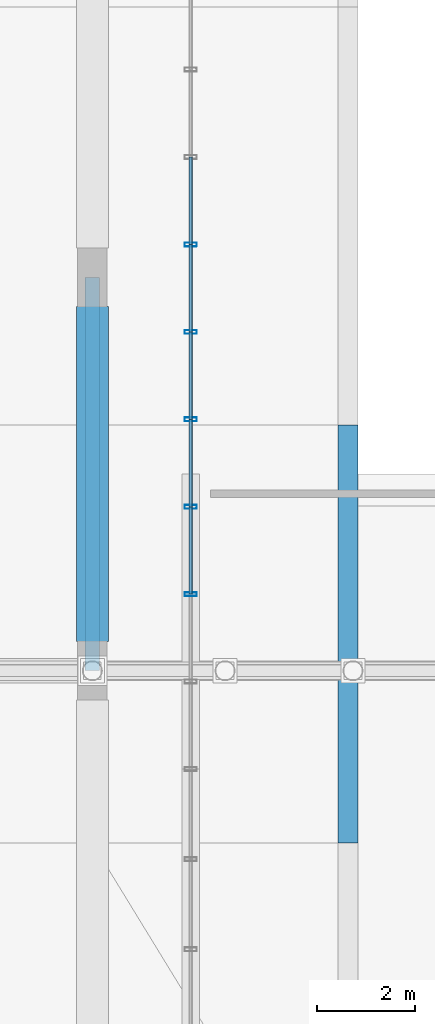
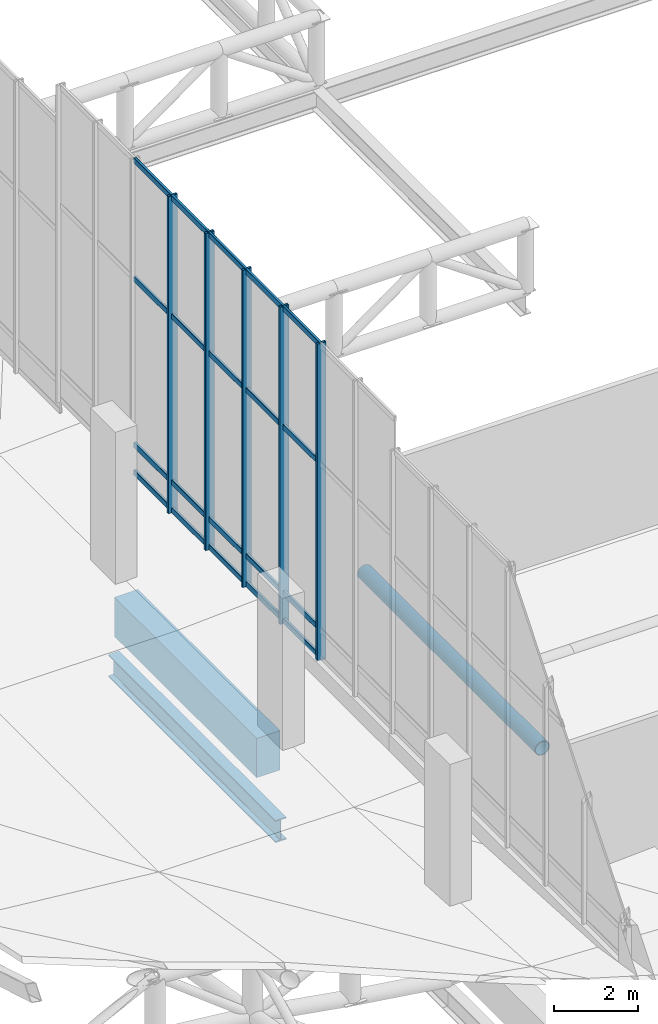
# One storey, part 35 of 137: 26 members, 2 beams, 1 element without a shape of its own.
"""IFC4 building model written with IfcOpenShell, lengths in metres."""

from ifc_helpers import new_model, si_unit, direction, frame, origin, origin_2d, place, context, subcontext, project, spatial, rectangle, hollow_rectangle, hollow_circle, i_section, extrude, material, layer, layer_set, material_profile, profile_set, type_object, element, aggregate, save


model = new_model("IFC4")

# Units and contexts
model_context = context("Model", 3, precision=1e-05, world=origin(), true_north=direction((0.0, 1.0)))
body_context = subcontext(model_context, "Body", "Model", "MODEL_VIEW")
ifc_project = project(units=[si_unit("LENGTHUNIT", "METRE"), si_unit("AREAUNIT", "SQUARE_METRE"), si_unit("VOLUMEUNIT", "CUBIC_METRE"), si_unit("PLANEANGLEUNIT", "RADIAN"), si_unit("MASSUNIT", "GRAM", prefix="KILO")], contexts=[model_context])

# Site, building, storey
site_placement = place(None, origin())
site = spatial("IfcSite", under=ifc_project, at=site_placement, CompositionType="ELEMENT")
building_placement = place(site_placement, origin())
building = spatial("IfcBuilding", under=site, at=building_placement, Name="Khorjan Park Terminus", CompositionType="ELEMENT")
storey_placement = place(building_placement, frame((0.0, 0.0, 11.4)))
storey = spatial("IfcBuildingStorey", under=building, at=storey_placement, Name="L02", CompositionType="ELEMENT", Elevation=11.4)

# Member
ifc_material_1 = material(Name="Steel S355", Category="steel")
ifc_material_profile_1 = material_profile(ifc_material_1, hollow_circle(Radius=0.2032, WallThickness=0.016, at=origin_2d()), Name="CHS 406.4x16")
ifc_profile_set_1 = profile_set([ifc_material_profile_1], Name="Steel S355")
member_type_1 = type_object("IfcMemberType", Name="MB-CH-406", PredefinedType="CHORD", material=ifc_profile_set_1)
member_1_placement = place(storey_placement, frame((53.2, 48.5, 0.266), z_axis=(0.0, 1.0, 0.0), x_axis=(-1.0, 0.0, 0.0)))
element("IfcMember", 1, at=member_1_placement, inside=storey, type_object=member_type_1, Name="Lower wrapping shell rim chord (131)", PredefinedType="CHORD", context=body_context, shape_type="SweptSolid", body=[
    extrude(hollow_circle(Radius=0.2032, WallThickness=0.016, at=origin_2d()), origin(), (0.0, 0.0, 1.0), 8.5),
])

# Curtain wall, members
ifc_material_2 = material(Name="Anodized Bronze Aluminium", Category="aluminium")
ifc_layer = layer(ifc_material_2, 0.22)
ifc_layer_set = layer_set([ifc_layer], Name="Anodized Bronze Aluminium")
curtain_wall_type = type_object("IfcCurtainWallType", Name="CW-CONC-CLR", PredefinedType="NOTDEFINED", material=ifc_layer_set)
curtain_wall_placement = place(storey_placement, origin())
curtain_wall = element("IfcCurtainWall", 2, at=curtain_wall_placement, inside=storey, type_object=curtain_wall_type, Name="Unitized curtain wall CW-CL (CW-V2-W-CLR-03)", PredefinedType="NOTDEFINED")
ifc_material_profile_2 = material_profile(ifc_material_2, hollow_rectangle(XDim=0.08, YDim=0.25, WallThickness=0.005, InnerFilletRadius=0.005, OuterFilletRadius=0.01, at=origin_2d()), Name="ALM 80x250x5")
ifc_profile_set_2 = profile_set([ifc_material_profile_2], Name="Anodized Bronze Aluminium")
member_type_2 = type_object("IfcMemberType", Name="ML-ALM-250", PredefinedType="MULLION", material=ifc_profile_set_2)
member_2_placement = place(storey_placement, frame((50.0, 60.6667, 0.915), z_axis=(0.0, 0.0, 1.0), x_axis=(0.0, -1.0, 0.0)))
member_2 = element("IfcMember", 3, at=member_2_placement, type_object=member_type_2, Name="Curtain-wall mullion ML-25 (CW-V2-W-CLR-03-3)", PredefinedType="MULLION", context=body_context, shape_type="SweptSolid", body=[
    extrude(hollow_rectangle(XDim=0.08, YDim=0.25, WallThickness=0.005, InnerFilletRadius=0.005, OuterFilletRadius=0.01, at=origin_2d()), origin(), (0.0, 0.0, 1.0), 9.2604),
])
member_3_placement = place(storey_placement, frame((50.0, 58.8889, 0.915), z_axis=(0.0, 0.0, 1.0), x_axis=(0.0, -1.0, 0.0)))
member_3 = element("IfcMember", 4, at=member_3_placement, type_object=member_type_2, Name="Curtain-wall mullion ML-25 (CW-V2-W-CLR-03-4)", PredefinedType="MULLION", context=body_context, shape_type="SweptSolid", body=[
    extrude(hollow_rectangle(XDim=0.08, YDim=0.25, WallThickness=0.005, InnerFilletRadius=0.005, OuterFilletRadius=0.01, at=origin_2d()), origin(), (0.0, 0.0, 1.0), 9.2604),
])
member_4_placement = place(storey_placement, frame((50.0, 57.1111, 0.915), z_axis=(0.0, 0.0, 1.0), x_axis=(0.0, -1.0, 0.0)))
member_4 = element("IfcMember", 5, at=member_4_placement, type_object=member_type_2, Name="Curtain-wall mullion ML-25 (CW-V2-W-CLR-03-5)", PredefinedType="MULLION", context=body_context, shape_type="SweptSolid", body=[
    extrude(hollow_rectangle(XDim=0.08, YDim=0.25, WallThickness=0.005, InnerFilletRadius=0.005, OuterFilletRadius=0.01, at=origin_2d()), origin(), (0.0, 0.0, 1.0), 9.2604),
])
member_5_placement = place(storey_placement, frame((50.0, 55.3333, 0.915), z_axis=(0.0, 0.0, 1.0), x_axis=(0.0, -1.0, 0.0)))
member_5 = element("IfcMember", 6, at=member_5_placement, type_object=member_type_2, Name="Curtain-wall mullion ML-25 (CW-V2-W-CLR-03-6)", PredefinedType="MULLION", context=body_context, shape_type="SweptSolid", body=[
    extrude(hollow_rectangle(XDim=0.08, YDim=0.25, WallThickness=0.005, InnerFilletRadius=0.005, OuterFilletRadius=0.01, at=origin_2d()), origin(), (0.0, 0.0, 1.0), 9.2604),
])
member_6_placement = place(storey_placement, frame((50.0, 53.5556, 0.915), z_axis=(0.0, 0.0, 1.0), x_axis=(0.0, -1.0, 0.0)))
member_6 = element("IfcMember", 7, at=member_6_placement, type_object=member_type_2, Name="Curtain-wall mullion ML-25 (CW-V2-W-CLR-03-7)", PredefinedType="MULLION", context=body_context, shape_type="SweptSolid", body=[
    extrude(hollow_rectangle(XDim=0.08, YDim=0.25, WallThickness=0.005, InnerFilletRadius=0.005, OuterFilletRadius=0.01, at=origin_2d()), origin(), (0.0, 0.0, 1.0), 9.2604),
])

# Beams
ifc_material_profile_3 = material_profile(ifc_material_1, i_section(OverallWidth=0.3, OverallDepth=0.65, WebThickness=0.016, FlangeThickness=0.031, FilletRadius=0.027, at=origin_2d()), Name="HEB 650")
ifc_profile_set_3 = profile_set([ifc_material_profile_3], Name="Steel S355")
beam_type_1 = type_object("IfcBeamType", Name="SP-HEB650E", PredefinedType="SPANDREL", material=ifc_profile_set_3)
beam_1_placement = place(storey_placement, frame((48.0, 52.0, -2.425), z_axis=(0.0, 1.0, 0.0), x_axis=(-1.0, 0.0, 0.0)))
element("IfcBeam", 8, at=beam_1_placement, inside=storey, type_object=beam_type_1, Name="Lower shell truss support girder SP-E65 (Y35)", PredefinedType="SPANDREL", context=body_context, shape_type="SweptSolid", body=[
    extrude(i_section(OverallWidth=0.3, OverallDepth=0.65, WebThickness=0.016, FlangeThickness=0.031, FilletRadius=0.027, at=origin_2d()), origin(), (0.0, 0.0, 1.0), 8.0),
])
ifc_material_3 = material(Name="Concrete C50/60", Category="concrete")
ifc_material_profile_4 = material_profile(ifc_material_3, rectangle(XDim=0.65, YDim=1.15, at=origin_2d()), Name="RC 650x1150")
ifc_profile_set_4 = profile_set([ifc_material_profile_4], Name="Concrete C50/60")
beam_type_2 = type_object("IfcBeamType", Name="SP-RC650x1150", PredefinedType="SPANDREL", material=ifc_profile_set_4)
beam_2_placement = place(storey_placement, frame((48.0, 52.595, -0.575), z_axis=(0.0, 1.0, 0.0), x_axis=(-1.0, 0.0, 0.0)))
element("IfcBeam", 9, at=beam_2_placement, inside=storey, type_object=beam_type_2, Name="Concourse lower colonnade ring beam SP-11 (L02-65)", PredefinedType="SPANDREL", context=body_context, shape_type="SweptSolid", body=[
    extrude(rectangle(XDim=0.65, YDim=1.15, at=origin_2d()), origin(), (0.0, 0.0, 1.0), 6.81),
])

# Member
ifc_material_profile_5 = material_profile(ifc_material_2, hollow_rectangle(XDim=0.07, YDim=0.16, WallThickness=0.004, InnerFilletRadius=0.004, OuterFilletRadius=0.008, at=origin_2d()), Name="ALT 70x160x4")
ifc_profile_set_5 = profile_set([ifc_material_profile_5], Name="Anodized Bronze Aluminium")
member_type_3 = type_object("IfcMemberType", Name="TR-ALT-160", PredefinedType="USERDEFINED", material=ifc_profile_set_5)
member_7_placement = place(storey_placement, frame((50.0, 62.4444, 0.99), z_axis=(0.0, -1.0, 0.0), x_axis=(1.0, 0.0, 0.0)))
member_7 = element("IfcMember", 10, at=member_7_placement, type_object=member_type_3, Name="Curtain-wall transom TR-16 (CW-V2-W-CLR-03-2-1)", ObjectType="TRANSOM", PredefinedType="USERDEFINED", context=body_context, shape_type="SweptSolid", body=[
    extrude(hollow_rectangle(XDim=0.07, YDim=0.16, WallThickness=0.004, InnerFilletRadius=0.004, OuterFilletRadius=0.008, at=origin_2d()), origin(), (0.0, 0.0, 1.0), 1.7777),
])

member_8_placement = place(storey_placement, frame((50.0, 62.4444, 1.8), z_axis=(0.0, -1.0, 0.0), x_axis=(1.0, 0.0, 0.0)))
member_8 = element("IfcMember", 11, at=member_8_placement, type_object=member_type_3, Name="Curtain-wall transom TR-16 (CW-V2-W-CLR-03-2-2)", ObjectType="TRANSOM", PredefinedType="USERDEFINED", context=body_context, shape_type="SweptSolid", body=[
    extrude(hollow_rectangle(XDim=0.07, YDim=0.16, WallThickness=0.004, InnerFilletRadius=0.004, OuterFilletRadius=0.008, at=origin_2d()), origin(), (0.0, 0.0, 1.0), 1.7777),
])

member_9_placement = place(storey_placement, frame((50.0, 62.4444, 6.648), z_axis=(0.0, -1.0, 0.0), x_axis=(1.0, 0.0, 0.0)))
member_9 = element("IfcMember", 12, at=member_9_placement, type_object=member_type_3, Name="Curtain-wall transom TR-16 (CW-V2-W-CLR-03-2-3)", ObjectType="TRANSOM", PredefinedType="USERDEFINED", context=body_context, shape_type="SweptSolid", body=[
    extrude(hollow_rectangle(XDim=0.07, YDim=0.16, WallThickness=0.004, InnerFilletRadius=0.004, OuterFilletRadius=0.008, at=origin_2d()), origin(), (0.0, 0.0, 1.0), 1.7777),
])

member_10_placement = place(storey_placement, frame((50.0, 62.4444, 10.1004), z_axis=(0.0, -1.0, 0.0), x_axis=(1.0, 0.0, 0.0)))
member_10 = element("IfcMember", 13, at=member_10_placement, type_object=member_type_3, Name="Curtain-wall transom TR-16 (CW-V2-W-CLR-03-2-4)", ObjectType="TRANSOM", PredefinedType="USERDEFINED", context=body_context, shape_type="SweptSolid", body=[
    extrude(hollow_rectangle(XDim=0.07, YDim=0.16, WallThickness=0.004, InnerFilletRadius=0.004, OuterFilletRadius=0.008, at=origin_2d()), origin(), (0.0, 0.0, 1.0), 1.7777),
])

member_11_placement = place(storey_placement, frame((50.0, 60.6667, 0.99), z_axis=(0.0, -1.0, 0.0), x_axis=(1.0, 0.0, 0.0)))
member_11 = element("IfcMember", 14, at=member_11_placement, type_object=member_type_3, Name="Curtain-wall transom TR-16 (CW-V2-W-CLR-03-3-1)", ObjectType="TRANSOM", PredefinedType="USERDEFINED", context=body_context, shape_type="SweptSolid", body=[
    extrude(hollow_rectangle(XDim=0.07, YDim=0.16, WallThickness=0.004, InnerFilletRadius=0.004, OuterFilletRadius=0.008, at=origin_2d()), origin(), (0.0, 0.0, 1.0), 1.7778),
])

member_12_placement = place(storey_placement, frame((50.0, 60.6667, 1.8), z_axis=(0.0, -1.0, 0.0), x_axis=(1.0, 0.0, 0.0)))
member_12 = element("IfcMember", 15, at=member_12_placement, type_object=member_type_3, Name="Curtain-wall transom TR-16 (CW-V2-W-CLR-03-3-2)", ObjectType="TRANSOM", PredefinedType="USERDEFINED", context=body_context, shape_type="SweptSolid", body=[
    extrude(hollow_rectangle(XDim=0.07, YDim=0.16, WallThickness=0.004, InnerFilletRadius=0.004, OuterFilletRadius=0.008, at=origin_2d()), origin(), (0.0, 0.0, 1.0), 1.7778),
])

member_13_placement = place(storey_placement, frame((50.0, 60.6667, 6.648), z_axis=(0.0, -1.0, 0.0), x_axis=(1.0, 0.0, 0.0)))
member_13 = element("IfcMember", 16, at=member_13_placement, type_object=member_type_3, Name="Curtain-wall transom TR-16 (CW-V2-W-CLR-03-3-3)", ObjectType="TRANSOM", PredefinedType="USERDEFINED", context=body_context, shape_type="SweptSolid", body=[
    extrude(hollow_rectangle(XDim=0.07, YDim=0.16, WallThickness=0.004, InnerFilletRadius=0.004, OuterFilletRadius=0.008, at=origin_2d()), origin(), (0.0, 0.0, 1.0), 1.7778),
])

member_14_placement = place(storey_placement, frame((50.0, 60.6667, 10.1004), z_axis=(0.0, -1.0, 0.0), x_axis=(1.0, 0.0, 0.0)))
member_14 = element("IfcMember", 17, at=member_14_placement, type_object=member_type_3, Name="Curtain-wall transom TR-16 (CW-V2-W-CLR-03-3-4)", ObjectType="TRANSOM", PredefinedType="USERDEFINED", context=body_context, shape_type="SweptSolid", body=[
    extrude(hollow_rectangle(XDim=0.07, YDim=0.16, WallThickness=0.004, InnerFilletRadius=0.004, OuterFilletRadius=0.008, at=origin_2d()), origin(), (0.0, 0.0, 1.0), 1.7778),
])

member_15_placement = place(storey_placement, frame((50.0, 58.8889, 0.99), z_axis=(0.0, -1.0, 0.0), x_axis=(1.0, 0.0, 0.0)))
member_15 = element("IfcMember", 18, at=member_15_placement, type_object=member_type_3, Name="Curtain-wall transom TR-16 (CW-V2-W-CLR-03-4-1)", ObjectType="TRANSOM", PredefinedType="USERDEFINED", context=body_context, shape_type="SweptSolid", body=[
    extrude(hollow_rectangle(XDim=0.07, YDim=0.16, WallThickness=0.004, InnerFilletRadius=0.004, OuterFilletRadius=0.008, at=origin_2d()), origin(), (0.0, 0.0, 1.0), 1.7778),
])

member_16_placement = place(storey_placement, frame((50.0, 58.8889, 1.8), z_axis=(0.0, -1.0, 0.0), x_axis=(1.0, 0.0, 0.0)))
member_16 = element("IfcMember", 19, at=member_16_placement, type_object=member_type_3, Name="Curtain-wall transom TR-16 (CW-V2-W-CLR-03-4-2)", ObjectType="TRANSOM", PredefinedType="USERDEFINED", context=body_context, shape_type="SweptSolid", body=[
    extrude(hollow_rectangle(XDim=0.07, YDim=0.16, WallThickness=0.004, InnerFilletRadius=0.004, OuterFilletRadius=0.008, at=origin_2d()), origin(), (0.0, 0.0, 1.0), 1.7778),
])

member_17_placement = place(storey_placement, frame((50.0, 58.8889, 6.648), z_axis=(0.0, -1.0, 0.0), x_axis=(1.0, 0.0, 0.0)))
member_17 = element("IfcMember", 20, at=member_17_placement, type_object=member_type_3, Name="Curtain-wall transom TR-16 (CW-V2-W-CLR-03-4-3)", ObjectType="TRANSOM", PredefinedType="USERDEFINED", context=body_context, shape_type="SweptSolid", body=[
    extrude(hollow_rectangle(XDim=0.07, YDim=0.16, WallThickness=0.004, InnerFilletRadius=0.004, OuterFilletRadius=0.008, at=origin_2d()), origin(), (0.0, 0.0, 1.0), 1.7778),
])

member_18_placement = place(storey_placement, frame((50.0, 58.8889, 10.1004), z_axis=(0.0, -1.0, 0.0), x_axis=(1.0, 0.0, 0.0)))
member_18 = element("IfcMember", 21, at=member_18_placement, type_object=member_type_3, Name="Curtain-wall transom TR-16 (CW-V2-W-CLR-03-4-4)", ObjectType="TRANSOM", PredefinedType="USERDEFINED", context=body_context, shape_type="SweptSolid", body=[
    extrude(hollow_rectangle(XDim=0.07, YDim=0.16, WallThickness=0.004, InnerFilletRadius=0.004, OuterFilletRadius=0.008, at=origin_2d()), origin(), (0.0, 0.0, 1.0), 1.7778),
])

member_19_placement = place(storey_placement, frame((50.0, 57.1111, 0.99), z_axis=(0.0, -1.0, 0.0), x_axis=(1.0, 0.0, 0.0)))
member_19 = element("IfcMember", 22, at=member_19_placement, type_object=member_type_3, Name="Curtain-wall transom TR-16 (CW-V2-W-CLR-03-5-1)", ObjectType="TRANSOM", PredefinedType="USERDEFINED", context=body_context, shape_type="SweptSolid", body=[
    extrude(hollow_rectangle(XDim=0.07, YDim=0.16, WallThickness=0.004, InnerFilletRadius=0.004, OuterFilletRadius=0.008, at=origin_2d()), origin(), (0.0, 0.0, 1.0), 1.7778),
])

member_20_placement = place(storey_placement, frame((50.0, 57.1111, 1.8), z_axis=(0.0, -1.0, 0.0), x_axis=(1.0, 0.0, 0.0)))
member_20 = element("IfcMember", 23, at=member_20_placement, type_object=member_type_3, Name="Curtain-wall transom TR-16 (CW-V2-W-CLR-03-5-2)", ObjectType="TRANSOM", PredefinedType="USERDEFINED", context=body_context, shape_type="SweptSolid", body=[
    extrude(hollow_rectangle(XDim=0.07, YDim=0.16, WallThickness=0.004, InnerFilletRadius=0.004, OuterFilletRadius=0.008, at=origin_2d()), origin(), (0.0, 0.0, 1.0), 1.7778),
])

member_21_placement = place(storey_placement, frame((50.0, 57.1111, 6.648), z_axis=(0.0, -1.0, 0.0), x_axis=(1.0, 0.0, 0.0)))
member_21 = element("IfcMember", 24, at=member_21_placement, type_object=member_type_3, Name="Curtain-wall transom TR-16 (CW-V2-W-CLR-03-5-3)", ObjectType="TRANSOM", PredefinedType="USERDEFINED", context=body_context, shape_type="SweptSolid", body=[
    extrude(hollow_rectangle(XDim=0.07, YDim=0.16, WallThickness=0.004, InnerFilletRadius=0.004, OuterFilletRadius=0.008, at=origin_2d()), origin(), (0.0, 0.0, 1.0), 1.7778),
])

member_22_placement = place(storey_placement, frame((50.0, 57.1111, 10.1004), z_axis=(0.0, -1.0, 0.0), x_axis=(1.0, 0.0, 0.0)))
member_22 = element("IfcMember", 25, at=member_22_placement, type_object=member_type_3, Name="Curtain-wall transom TR-16 (CW-V2-W-CLR-03-5-4)", ObjectType="TRANSOM", PredefinedType="USERDEFINED", context=body_context, shape_type="SweptSolid", body=[
    extrude(hollow_rectangle(XDim=0.07, YDim=0.16, WallThickness=0.004, InnerFilletRadius=0.004, OuterFilletRadius=0.008, at=origin_2d()), origin(), (0.0, 0.0, 1.0), 1.7778),
])

member_23_placement = place(storey_placement, frame((50.0, 55.3333, 0.99), z_axis=(0.0, -1.0, 0.0), x_axis=(1.0, 0.0, 0.0)))
member_23 = element("IfcMember", 26, at=member_23_placement, type_object=member_type_3, Name="Curtain-wall transom TR-16 (CW-V2-W-CLR-03-6-1)", ObjectType="TRANSOM", PredefinedType="USERDEFINED", context=body_context, shape_type="SweptSolid", body=[
    extrude(hollow_rectangle(XDim=0.07, YDim=0.16, WallThickness=0.004, InnerFilletRadius=0.004, OuterFilletRadius=0.008, at=origin_2d()), origin(), (0.0, 0.0, 1.0), 1.7777),
])

member_24_placement = place(storey_placement, frame((50.0, 55.3333, 1.8), z_axis=(0.0, -1.0, 0.0), x_axis=(1.0, 0.0, 0.0)))
member_24 = element("IfcMember", 27, at=member_24_placement, type_object=member_type_3, Name="Curtain-wall transom TR-16 (CW-V2-W-CLR-03-6-2)", ObjectType="TRANSOM", PredefinedType="USERDEFINED", context=body_context, shape_type="SweptSolid", body=[
    extrude(hollow_rectangle(XDim=0.07, YDim=0.16, WallThickness=0.004, InnerFilletRadius=0.004, OuterFilletRadius=0.008, at=origin_2d()), origin(), (0.0, 0.0, 1.0), 1.7777),
])

member_25_placement = place(storey_placement, frame((50.0, 55.3333, 6.648), z_axis=(0.0, -1.0, 0.0), x_axis=(1.0, 0.0, 0.0)))
member_25 = element("IfcMember", 28, at=member_25_placement, type_object=member_type_3, Name="Curtain-wall transom TR-16 (CW-V2-W-CLR-03-6-3)", ObjectType="TRANSOM", PredefinedType="USERDEFINED", context=body_context, shape_type="SweptSolid", body=[
    extrude(hollow_rectangle(XDim=0.07, YDim=0.16, WallThickness=0.004, InnerFilletRadius=0.004, OuterFilletRadius=0.008, at=origin_2d()), origin(), (0.0, 0.0, 1.0), 1.7777),
])

member_26_placement = place(storey_placement, frame((50.0, 55.3333, 10.1004), z_axis=(0.0, -1.0, 0.0), x_axis=(1.0, 0.0, 0.0)))
member_26 = element("IfcMember", 29, at=member_26_placement, type_object=member_type_3, Name="Curtain-wall transom TR-16 (CW-V2-W-CLR-03-6-4)", ObjectType="TRANSOM", PredefinedType="USERDEFINED", context=body_context, shape_type="SweptSolid", body=[
    extrude(hollow_rectangle(XDim=0.07, YDim=0.16, WallThickness=0.004, InnerFilletRadius=0.004, OuterFilletRadius=0.008, at=origin_2d()), origin(), (0.0, 0.0, 1.0), 1.7777),
])

aggregate(curtain_wall, [member_2, member_3, member_4, member_5, member_6, member_7, member_8, member_9, member_10, member_11, member_12, member_13, member_14, member_15, member_16, member_17, member_18, member_19, member_20, member_21, member_22, member_23, member_24, member_25, member_26])

save(model, "model.ifc")
